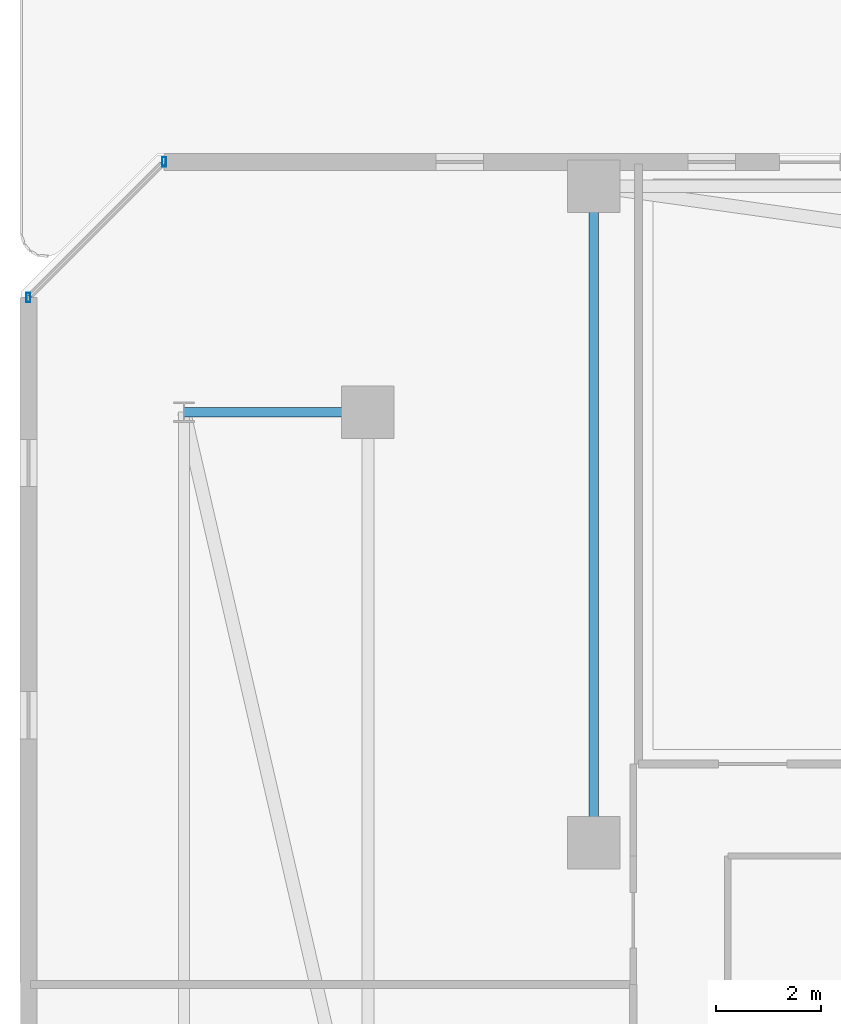
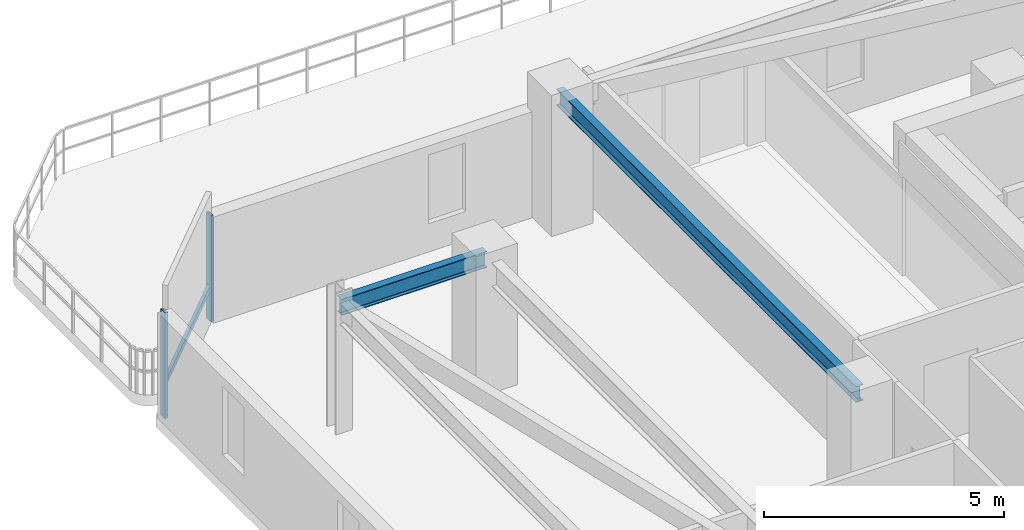
# One storey, part 7 of 29: 3 members, 2 beams, 1 element without a shape of its own.
"""IFC4 building model written with IfcOpenShell, lengths in metres."""

from ifc_helpers import new_model, si_unit, direction, frame, origin, origin_2d, place, context, subcontext, project, spatial, hollow_rectangle, i_section, extrude, material, material_profile, profile_set, type_object, element, aggregate, save


model = new_model("IFC4")

# Units and contexts
model_context = context("Model", 3, precision=1e-05, world=origin(), true_north=direction((0.0, 1.0)))
body_context = subcontext(model_context, "Body", "Model", "MODEL_VIEW")
ifc_project = project(units=[si_unit("LENGTHUNIT", "METRE"), si_unit("AREAUNIT", "SQUARE_METRE"), si_unit("VOLUMEUNIT", "CUBIC_METRE"), si_unit("PLANEANGLEUNIT", "RADIAN"), si_unit("MASSUNIT", "GRAM", prefix="KILO")], contexts=[model_context])

# Site, building, storey
site_placement = place(None, origin())
site = spatial("IfcSite", under=ifc_project, at=site_placement, CompositionType="ELEMENT")
building_placement = place(site_placement, origin())
building = spatial("IfcBuilding", under=site, at=building_placement, Name="Thornwick Lancets Civic Towers", CompositionType="ELEMENT")
storey_placement = place(building_placement, frame((0.0, 0.0, 229.5)))
storey = spatial("IfcBuildingStorey", under=building, at=storey_placement, Name="L61", CompositionType="ELEMENT", Elevation=229.5)

# Beams
ifc_material_1 = material(Name="Steel S355JR", Category="steel")
ifc_material_profile_1 = material_profile(ifc_material_1, i_section(OverallWidth=0.179443359375, OverallDepth=0.412841796875, WebThickness=0.009521484375, FlangeThickness=0.01611328125, FilletRadius=0.01025390625, at=origin_2d()), Name="UKB 406x178x74")
ifc_profile_set_1 = profile_set([ifc_material_profile_1], Name="Steel S355JR")
beam_type = type_object("IfcBeamType", Name="BM_JOIST_406_74", PredefinedType="JOIST", material=ifc_profile_set_1)
beam_1_placement = place(storey_placement, frame((12.5, 31.800048828125, 3.113525390625), z_axis=(0.0, 1.0, 0.0), x_axis=(-1.0, 0.0, 0.0)))
element("IfcBeam", 1, at=beam_1_placement, inside=storey, type_object=beam_type, Name="BM-RADIN-L61-A07", PredefinedType="JOIST", context=body_context, shape_type="SweptSolid", body=[
    extrude(i_section(OverallWidth=0.179443359375, OverallDepth=0.412841796875, WebThickness=0.009521484375, FlangeThickness=0.01611328125, FilletRadius=0.01025390625, at=origin_2d()), origin(), (0.0, 0.0, 1.0), 12.5),
])
beam_2_placement = place(storey_placement, frame((8.199951171875, 40.0, 3.113525390625), z_axis=(-1.0, 0.0, 0.0), x_axis=(0.0, -1.0, 0.0)))
element("IfcBeam", 2, at=beam_2_placement, inside=storey, type_object=beam_type, Name="BM-RAD-L61-A12", PredefinedType="JOIST", context=body_context, shape_type="SweptSolid", body=[
    extrude(i_section(OverallWidth=0.179443359375, OverallDepth=0.412841796875, WebThickness=0.009521484375, FlangeThickness=0.01611328125, FilletRadius=0.01025390625, at=origin_2d()), origin(), (0.0, 0.0, 1.0), 3.5),
])

# Curtain wall, members
ifc_material_2 = material(Name="High-zone chamfered-corner unitised glass curtain wall", Category="glass")
curtain_wall_type = type_object("IfcCurtainWallType", Name="CW_SYS_05", PredefinedType="NOTDEFINED", material=ifc_material_2)
curtain_wall_placement = place(storey_placement, origin())
curtain_wall = element("IfcCurtainWall", 3, at=curtain_wall_placement, inside=storey, type_object=curtain_wall_type, Name="L61 Curtain Wall CW-L61-A-E5", PredefinedType="NOTDEFINED")
ifc_material_3 = material(Name="Thermally broken bronze aluminium S355", Category="steel")
ifc_material_profile_2 = material_profile(ifc_material_3, hollow_rectangle(XDim=0.074951171875, YDim=0.179931640625, WallThickness=0.006103515625, at=origin_2d()), Name="RHS 180x75x6")
ifc_profile_set_2 = profile_set([ifc_material_profile_2], Name="Thermally broken bronze aluminium S355")
member_type_1 = type_object("IfcMemberType", Name="CW_MUL_180", PredefinedType="MULLION", material=ifc_profile_set_2)
member_1_placement = place(storey_placement, frame((4.318603515625, 44.7646484375, 0.0), z_axis=(0.0, 0.0, 1.0), x_axis=(1.0, 0.0, 0.0)))
member_1 = element("IfcMember", 4, at=member_1_placement, type_object=member_type_1, Name="CW-L61-A-E5 Mullion 0", PredefinedType="MULLION", context=body_context, shape_type="SweptSolid", body=[
    extrude(hollow_rectangle(XDim=0.074951171875, YDim=0.179931640625, WallThickness=0.006103515625, at=origin_2d()), origin(), (0.0, 0.0, 1.0), 2.699951171875),
])
member_2_placement = place(storey_placement, frame((1.7353515625, 42.181396484375, 0.0), z_axis=(0.0, 0.0, 1.0), x_axis=(1.0, 0.0, 0.0)))
member_2 = element("IfcMember", 5, at=member_2_placement, type_object=member_type_1, Name="CW-L61-A-E5 Mullion 1", PredefinedType="MULLION", context=body_context, shape_type="SweptSolid", body=[
    extrude(hollow_rectangle(XDim=0.074951171875, YDim=0.179931640625, WallThickness=0.006103515625, at=origin_2d()), origin(), (0.0, 0.0, 1.0), 2.699951171875),
])
ifc_material_profile_3 = material_profile(ifc_material_3, hollow_rectangle(XDim=0.074951171875, YDim=0.14990234375, WallThickness=0.0048828125, at=origin_2d()), Name="RHS 150x75x5")
ifc_profile_set_3 = profile_set([ifc_material_profile_3], Name="Thermally broken bronze aluminium S355")
member_type_2 = type_object("IfcMemberType", Name="CW_TRN_150", PredefinedType="USERDEFINED", material=ifc_profile_set_3)
member_3_placement = place(storey_placement, frame((4.304443359375, 44.75048828125, 0.85009765625), z_axis=(-0.707106781187, -0.707106781187, 0.0), x_axis=(0.707106781187, -0.707106781187, 0.0)))
member_3 = element("IfcMember", 6, at=member_3_placement, type_object=member_type_2, Name="CW-L61-A-E5 Transom 0", ObjectType="TRANSOM", PredefinedType="USERDEFINED", context=body_context, shape_type="SweptSolid", body=[
    extrude(hollow_rectangle(XDim=0.074951171875, YDim=0.14990234375, WallThickness=0.0048828125, at=origin_2d()), origin(), (0.0, 0.0, 1.0), 3.61328125),
])
aggregate(curtain_wall, [member_1, member_2, member_3])

save(model, "model.ifc")
